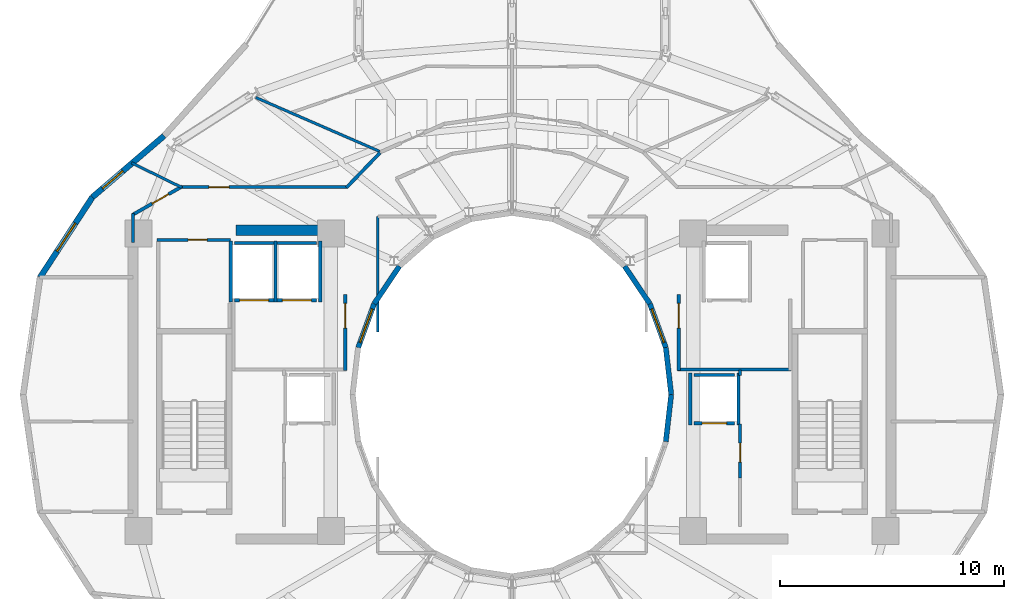
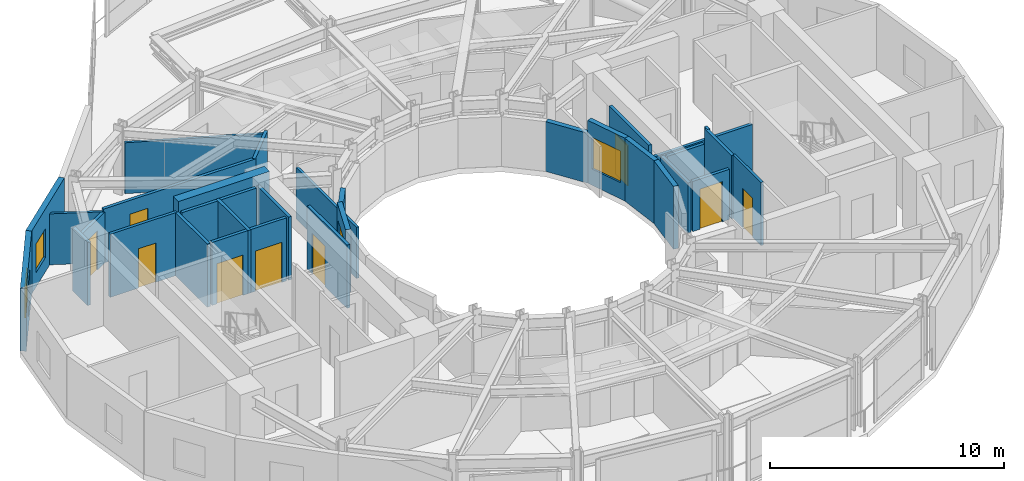
# One storey, part 14 of 19: 33 walls, 9 doors, 4 windows, 13 openings.
"""IFC4 building model written with IfcOpenShell, lengths in metres."""

from ifc_helpers import new_model, si_unit, direction, frame, frame_2d, origin, place, context, subcontext, project, spatial, rectangle, extrude, material, layer, layer_set, type_object, element, fill, save


model = new_model("IFC4")

# Units and contexts
model_context = context("Model", 3, precision=1e-05, world=origin(), true_north=direction((0.0, 1.0)))
body_context = subcontext(model_context, "Body", "Model", "MODEL_VIEW")
ifc_project = project(units=[si_unit("LENGTHUNIT", "METRE"), si_unit("AREAUNIT", "SQUARE_METRE"), si_unit("VOLUMEUNIT", "CUBIC_METRE"), si_unit("PLANEANGLEUNIT", "RADIAN"), si_unit("MASSUNIT", "GRAM", prefix="KILO")], contexts=[model_context])

# Site, building, storey
site_placement = place(None, origin())
site = spatial("IfcSite", under=ifc_project, at=site_placement, CompositionType="ELEMENT")
building_placement = place(site_placement, origin())
building = spatial("IfcBuilding", under=site, at=building_placement, Name="Solvane Sanctuary Tower", CompositionType="ELEMENT")
storey_placement = place(building_placement, frame((0.0, 0.0, 242.39990234375)))
storey = spatial("IfcBuildingStorey", under=building, at=storey_placement, Name="L74", CompositionType="ELEMENT", Elevation=242.39990234375)

# Wall
ifc_material_1 = material(Name="Concrete C50/60", Category="concrete")
ifc_layer_1 = layer(ifc_material_1, 0.449951171875, Name="Concrete C50/60")
ifc_layer_set_1 = layer_set([ifc_layer_1], Name="Concrete C50/60")
wall_type_1 = type_object("IfcWallType", Name="Wall W-CORE-450", PredefinedType="SHEAR", material=ifc_layer_set_1)
wall_1_placement = place(storey_placement, frame((19.64990234375, 30.35009765625, 0.0), z_axis=(0.0, 0.0, 1.0), x_axis=(1.0, 0.0, 0.0)))
element("IfcWall", 1, at=wall_1_placement, inside=storey, type_object=wall_type_1, Name="L74 Core Shear Wall WC-N", PredefinedType="SHEAR", context=body_context, shape_type="SweptSolid", body=[
    extrude(rectangle(XDim=4.5, YDim=0.449951171875, at=frame_2d((2.25, 0.0))), origin(), (0.0, 0.0, 1.0), 3.60009765625),
])

# Wall, opening, door
ifc_material_2 = material(Name="Acoustic Gypsum Partition Board")
ifc_layer_2 = layer(ifc_material_2, 0.14990234375, Name="Acoustic Gypsum Partition Board")
ifc_layer_set_2 = layer_set([ifc_layer_2], Name="Acoustic Gypsum Partition Board")
wall_type_2 = type_object("IfcWallType", Name="Wall W-CORR-150", PredefinedType="PARTITIONING", material=ifc_layer_set_2)
wall_2_placement = place(storey_placement, frame((24.550048828125, 24.080078125, 0.0), z_axis=(0.0, 0.0, 1.0), x_axis=(0.0, 1.0, 0.0)))
wall_2 = element("IfcWall", 2, at=wall_2_placement, inside=storey, type_object=wall_type_2, Name="L74 West Firefighting Lobby East Wall", PredefinedType="PARTITIONING", context=body_context, shape_type="SweptSolid", body=[
    extrude(rectangle(XDim=3.39990234375, YDim=0.14990234375, at=frame_2d((1.699951171875, 0.0))), origin(), (0.0, 0.0, 1.0), 3.295166015625),
])
opening_1_placement = place(wall_2_placement, frame((1.893798828125, 0.0, 0.0)))
opening_1 = element("IfcOpeningElement", 3, at=opening_1_placement, cuts=wall_2, Name="Opening D-L74-03", PredefinedType="OPENING", context=body_context, shape_type="SweptSolid", body=[
    extrude(rectangle(XDim=1.10009765625, YDim=2.10009765625, at=frame_2d((0.550048828125, 1.050048828125))), frame((0.0, 0.0849609375, 0.0), z_axis=(0.0, -1.0, 0.0), x_axis=(1.0, 0.0, 0.0)), (0.0, 0.0, 1.0), 0.169921875),
])
ifc_material_3 = material(Name="Architectural Stainless Steel 316", Category="steel")
door_type_1 = type_object("IfcDoorType", Name="Door D-FFL", OperationType="NOTDEFINED", PredefinedType="DOOR", material=ifc_material_3)
door_1_placement = place(opening_1_placement, origin())
door_1 = element("IfcDoor", 4, at=door_1_placement, inside=storey, type_object=door_type_1, Name="L74 West Firefighting Lobby Fire Door", OperationType="SINGLE_SWING_RIGHT", OverallHeight=2.10009765625, OverallWidth=1.10009765625, PredefinedType="DOOR", context=body_context, shape_type="SweptSolid", body=[
    extrude(rectangle(XDim=1.10009765625, YDim=2.10009765625, at=frame_2d((0.550048828125, 1.050048828125))), frame((0.0, 0.02490234375, 0.0), z_axis=(0.0, -1.0, 0.0), x_axis=(1.0, 0.0, 0.0)), (0.0, 0.0, 1.0), 0.050048828125),
])
fill(opening_1, door_1)

# Wall
wall_3_placement = place(storey_placement, frame((39.39990234375, 24.1201171875, 0.0), z_axis=(0.0, 0.0, 1.0), x_axis=(1.0, 0.0, 0.0)))
element("IfcWall", 5, at=wall_3_placement, inside=storey, type_object=wall_type_2, Name="L74 East Firefighting Lobby South Wall", PredefinedType="PARTITIONING", context=body_context, shape_type="SweptSolid", body=[
    extrude(rectangle(XDim=5.080078125, YDim=0.14990234375, at=frame_2d((2.5400390625, 0.0))), origin(), (0.0, 0.0, 1.0), 2.6201171875),
])

# Wall, opening, door
wall_4_placement = place(storey_placement, frame((39.449951171875, 24.080078125, 0.0), z_axis=(0.0, 0.0, 1.0), x_axis=(0.0, 1.0, 0.0)))
wall_4 = element("IfcWall", 6, at=wall_4_placement, inside=storey, type_object=wall_type_2, Name="L74 East Firefighting Lobby West Wall", PredefinedType="PARTITIONING", context=body_context, shape_type="SweptSolid", body=[
    extrude(rectangle(XDim=3.39990234375, YDim=0.14990234375, at=frame_2d((1.699951171875, 0.0))), origin(), (0.0, 0.0, 1.0), 3.295166015625),
])
opening_2_placement = place(wall_4_placement, frame((1.893798828125, 0.0, 0.0)))
opening_2 = element("IfcOpeningElement", 7, at=opening_2_placement, cuts=wall_4, Name="Opening D-L74-04", PredefinedType="OPENING", context=body_context, shape_type="SweptSolid", body=[
    extrude(rectangle(XDim=1.10009765625, YDim=2.10009765625, at=frame_2d((0.550048828125, 1.050048828125))), frame((0.0, 0.0849609375, 0.0), z_axis=(0.0, -1.0, 0.0), x_axis=(1.0, 0.0, 0.0)), (0.0, 0.0, 1.0), 0.169921875),
])
door_2_placement = place(opening_2_placement, origin())
door_2 = element("IfcDoor", 8, at=door_2_placement, inside=storey, type_object=door_type_1, Name="L74 East Firefighting Lobby Fire Door", OperationType="SINGLE_SWING_LEFT", OverallHeight=2.10009765625, OverallWidth=1.10009765625, PredefinedType="DOOR", context=body_context, shape_type="SweptSolid", body=[
    extrude(rectangle(XDim=1.10009765625, YDim=2.10009765625, at=frame_2d((0.550048828125, 1.050048828125))), frame((0.0, 0.02490234375, 0.0), z_axis=(0.0, -1.0, 0.0), x_axis=(1.0, 0.0, 0.0)), (0.0, 0.0, 1.0), 0.050048828125),
])
fill(opening_2, door_2)

# Walls
wall_5_placement = place(storey_placement, frame((15.050048828125, 29.800048828125, 0.0), z_axis=(0.0, 0.0, 1.0), x_axis=(0.0, 1.0, 0.0)))
element("IfcWall", 9, at=wall_5_placement, inside=storey, type_object=wall_type_2, Name="L74 NW Corner Closer 1", PredefinedType="PARTITIONING", context=body_context, shape_type="SweptSolid", body=[
    extrude(rectangle(XDim=1.2900390625, YDim=0.14990234375, at=frame_2d((0.64501953125, 0.0))), origin(), (0.0, 0.0, 1.0), 3.295166015625),
])
wall_6_placement = place(storey_placement, frame((26.0966796875, 33.811767578125, 0.0), z_axis=(0.0, 0.0, 1.0), x_axis=(-0.694032962553, -0.719943224768, 0.0)))
element("IfcWall", 10, at=wall_6_placement, inside=storey, type_object=wall_type_2, Name="L74 NW Corner Throat Wall", PredefinedType="PARTITIONING", context=body_context, shape_type="SweptSolid", body=[
    extrude(rectangle(XDim=2.15771484375, YDim=0.14990234375, at=frame_2d((1.078857421875, 0.0))), origin(), (0.0, 0.0, 1.0), 2.816162109375),
])

# Wall, opening, door
wall_7_placement = place(storey_placement, frame((17.14990234375, 32.280029296875, 0.0), z_axis=(0.0, 0.0, 1.0), x_axis=(1.0, 0.0, 0.0)))
wall_7 = element("IfcWall", 11, at=wall_7_placement, inside=storey, type_object=wall_type_2, Name="L74 NW Corner Corridor Wall", PredefinedType="PARTITIONING", context=body_context, shape_type="SweptSolid", body=[
    extrude(rectangle(XDim=7.52001953125, YDim=0.14990234375, at=frame_2d((3.760009765625, 0.0))), origin(), (0.0, 0.0, 1.0), 2.816162109375),
])
opening_3_placement = place(wall_7_placement, frame((1.300048828125, 0.0, 0.0)))
opening_3 = element("IfcOpeningElement", 12, at=opening_3_placement, cuts=wall_7, Name="Opening D-L74-19", PredefinedType="OPENING", context=body_context, shape_type="SweptSolid", body=[
    extrude(rectangle(XDim=0.89990234375, YDim=2.10009765625, at=frame_2d((0.449951171875, 1.050048828125))), frame((0.0, 0.0849609375, 0.0), z_axis=(0.0, -1.0, 0.0), x_axis=(1.0, 0.0, 0.0)), (0.0, 0.0, 1.0), 0.169921875),
])
ifc_material_4 = material(Name="Engineered Tropical Hardwood", Category="wood")
door_type_2 = type_object("IfcDoorType", Name="Door D-WET-900", OperationType="NOTDEFINED", PredefinedType="DOOR", material=ifc_material_4)
door_3_placement = place(opening_3_placement, origin())
door_3 = element("IfcDoor", 13, at=door_3_placement, inside=storey, type_object=door_type_2, Name="L74 NW Corner Salon Door", OperationType="SINGLE_SWING_RIGHT", OverallHeight=2.10009765625, OverallWidth=0.89990234375, PredefinedType="DOOR", context=body_context, shape_type="SweptSolid", body=[
    extrude(rectangle(XDim=0.89990234375, YDim=2.10009765625, at=frame_2d((0.449951171875, 1.050048828125))), frame((0.0, 0.02490234375, 0.0), z_axis=(0.0, -1.0, 0.0), x_axis=(1.0, 0.0, 0.0)), (0.0, 0.0, 1.0), 0.050048828125),
])
fill(opening_3, door_3)

wall_8_placement = place(storey_placement, frame((17.243408203125, 32.3046875, 0.0), z_axis=(0.0, 0.0, 1.0), x_axis=(-0.867991349648, -0.496579315857, 0.0)))
wall_8 = element("IfcWall", 14, at=wall_8_placement, inside=storey, type_object=wall_type_2, Name="L74 NW Corner Wing Wall", PredefinedType="PARTITIONING", context=body_context, shape_type="SweptSolid", body=[
    extrude(rectangle(XDim=2.56689453125, YDim=0.14990234375, at=frame_2d((1.283447265625, 0.0))), origin(), (0.0, 0.0, 1.0), 2.66015625),
])
opening_4_placement = place(wall_8_placement, frame((0.68798828125, 0.0, 0.0)))
opening_4 = element("IfcOpeningElement", 15, at=opening_4_placement, cuts=wall_8, Name="Opening D-L74-20", PredefinedType="OPENING", context=body_context, shape_type="SweptSolid", body=[
    extrude(rectangle(XDim=0.85009765625, YDim=2.050048828125, at=frame_2d((0.425048828125, 1.02490234375))), frame((0.0, 0.0849609375, 0.0), z_axis=(0.0, -1.0, 0.0), x_axis=(1.0, 0.0, 0.0)), (0.0, 0.0, 1.0), 0.169921875),
])
door_type_3 = type_object("IfcDoorType", Name="Door D-RISER", OperationType="NOTDEFINED", PredefinedType="DOOR", material=ifc_material_3)
door_4_placement = place(opening_4_placement, origin())
door_4 = element("IfcDoor", 16, at=door_4_placement, inside=storey, type_object=door_type_3, Name="L74 NW Corner Suite Door", OperationType="SINGLE_SWING_LEFT", OverallHeight=2.050048828125, OverallWidth=0.85009765625, PredefinedType="DOOR", context=body_context, shape_type="SweptSolid", body=[
    extrude(rectangle(XDim=0.85009765625, YDim=2.050048828125, at=frame_2d((0.425048828125, 1.02490234375))), frame((0.0, 0.02490234375, 0.0), z_axis=(0.0, -1.0, 0.0), x_axis=(1.0, 0.0, 0.0)), (0.0, 0.0, 1.0), 0.050048828125),
])
fill(opening_4, door_4)

# Wall, opening, window
ifc_material_5 = material(Name="Precast concrete C40/50", Category="concrete")
ifc_layer_3 = layer(ifc_material_5, 0.260009765625, Name="Precast concrete C40/50")
ifc_layer_set_3 = layer_set([ifc_layer_3], Name="Precast concrete C40/50")
wall_type_3 = type_object("IfcWallType", Name="Wall W-EXT-250", PredefinedType="STANDARD", material=ifc_layer_set_3)
wall_9_placement = place(storey_placement, frame((16.4423828125, 34.572265625, 0.0), z_axis=(0.0, 0.0, 1.0), x_axis=(-0.759587504333, -0.650405122413, 0.0)))
wall_9 = element("IfcWall", 17, at=wall_9_placement, inside=storey, type_object=wall_type_3, Name="L74 Ceramic-Printed Facade Wall 09", PredefinedType="STANDARD", context=body_context, shape_type="SweptSolid", body=[
    extrude(rectangle(XDim=4.21728515625, YDim=0.260009765625, at=frame_2d((2.108642578125, 0.0))), origin(), (0.0, 0.0, 1.0), 3.2900390625),
])
opening_5_placement = place(wall_9_placement, frame((2.423095703125, 0.0, 0.75)))
opening_5 = element("IfcOpeningElement", 18, at=opening_5_placement, cuts=wall_9, Name="Opening WN-OPER-1200", PredefinedType="OPENING", context=body_context, shape_type="SweptSolid", body=[
    extrude(rectangle(XDim=1.199951171875, YDim=1.5, at=frame_2d((0.60009765625, 0.75))), frame((0.0, 0.139892578125, 0.0), z_axis=(0.0, -1.0, 0.0), x_axis=(1.0, 0.0, 0.0)), (0.0, 0.0, 1.0), 0.280029296875),
])
ifc_material_6 = material(Name="Dark Ceramic-Fritted Low-E Glass", Category="glass")
window_type_1 = type_object("IfcWindowType", Name="Window WN-OPER-1200", PartitioningType="SINGLE_PANEL", PredefinedType="WINDOW", material=ifc_material_6)
window_1_placement = place(opening_5_placement, origin())
window_1 = element("IfcWindow", 19, at=window_1_placement, inside=storey, type_object=window_type_1, Name="L74 Operable Facade Window 09", OverallHeight=1.5, OverallWidth=1.199951171875, PartitioningType="SINGLE_PANEL", PredefinedType="WINDOW", context=body_context, shape_type="SweptSolid", body=[
    extrude(rectangle(XDim=1.199951171875, YDim=1.5, at=frame_2d((0.60009765625, 0.75))), frame((0.0, 0.030029296875, 0.0), z_axis=(0.0, -1.0, 0.0), x_axis=(1.0, 0.0, 0.0)), (0.0, 0.0, 1.0), 0.06005859375),
])
fill(opening_5, window_1)

wall_10_placement = place(storey_placement, frame((13.239013671875, 31.829345703125, 0.0), z_axis=(0.0, 0.0, 1.0), x_axis=(-0.546606419826, -0.837389647539, 0.0)))
wall_10 = element("IfcWall", 20, at=wall_10_placement, inside=storey, type_object=wall_type_3, Name="L74 Ceramic-Printed Facade Wall 10", PredefinedType="STANDARD", context=body_context, shape_type="SweptSolid", body=[
    extrude(rectangle(XDim=4.287841796875, YDim=0.260009765625, at=frame_2d((2.14404296875, 0.0))), origin(), (0.0, 0.0, 1.0), 3.2900390625),
])
opening_6_placement = place(wall_10_placement, frame((1.393798828125, 0.0, 0.75)))
opening_6 = element("IfcOpeningElement", 21, at=opening_6_placement, cuts=wall_10, Name="Opening WN-OPER-1500", PredefinedType="OPENING", context=body_context, shape_type="SweptSolid", body=[
    extrude(rectangle(XDim=1.5, YDim=1.60009765625, at=frame_2d((0.75, 0.800048828125))), frame((0.0, 0.139892578125, 0.0), z_axis=(0.0, -1.0, 0.0), x_axis=(1.0, 0.0, 0.0)), (0.0, 0.0, 1.0), 0.280029296875),
])
window_type_2 = type_object("IfcWindowType", Name="Window WN-OPER-1500", PartitioningType="SINGLE_PANEL", PredefinedType="WINDOW", material=ifc_material_6)
window_2_placement = place(opening_6_placement, origin())
window_2 = element("IfcWindow", 22, at=window_2_placement, inside=storey, type_object=window_type_2, Name="L74 Operable Facade Window 10", OverallHeight=1.60009765625, OverallWidth=1.5, PartitioningType="SINGLE_PANEL", PredefinedType="WINDOW", context=body_context, shape_type="SweptSolid", body=[
    extrude(rectangle(XDim=1.5, YDim=1.60009765625, at=frame_2d((0.75, 0.800048828125))), frame((0.0, 0.030029296875, 0.0), z_axis=(0.0, -1.0, 0.0), x_axis=(1.0, 0.0, 0.0)), (0.0, 0.0, 1.0), 0.06005859375),
])
fill(opening_6, window_2)

# Wall
ifc_layer_4 = layer(ifc_material_5, 0.22998046875, Name="Precast concrete C40/50")
ifc_layer_set_4 = layer_set([ifc_layer_4], Name="Precast concrete C40/50")
wall_type_4 = type_object("IfcWallType", Name="Wall W-EXT-SP220", PredefinedType="STANDARD", material=ifc_layer_set_4)
wall_11_placement = place(storey_placement, frame((39.1201171875, 23.0, 0.0), z_axis=(0.0, 0.0, 1.0), x_axis=(-0.114711713601, 0.993398823617, 0.0)))
element("IfcWall", 23, at=wall_11_placement, inside=storey, type_object=wall_type_4, Name="L74 Central Light-Well Wall 00", PredefinedType="STANDARD", context=body_context, shape_type="SweptSolid", body=[
    extrude(rectangle(XDim=2.115478515625, YDim=0.22998046875, at=frame_2d((1.0576171875, 0.0))), origin(), (0.0, 0.0, 1.0), 3.280029296875),
])

# Wall, opening, window
wall_12_placement = place(storey_placement, frame((38.87744140625, 25.1015625, 0.0), z_axis=(0.0, 0.0, 1.0), x_axis=(-0.341423187295, 0.93990968033, 0.0)))
wall_12 = element("IfcWall", 24, at=wall_12_placement, inside=storey, type_object=wall_type_4, Name="L74 Central Light-Well Wall 01", PredefinedType="STANDARD", context=body_context, shape_type="SweptSolid", body=[
    extrude(rectangle(XDim=2.083740234375, YDim=0.22998046875, at=frame_2d((1.0419921875, 0.0))), origin(), (0.0, 0.0, 1.0), 3.280029296875),
])
opening_7_placement = place(wall_12_placement, frame((0.24169921875, 0.0, 0.85009765625)))
opening_7 = element("IfcOpeningElement", 25, at=opening_7_placement, cuts=wall_12, Name="Opening WN-WELL-1600", PredefinedType="OPENING", context=body_context, shape_type="SweptSolid", body=[
    extrude(rectangle(XDim=1.60009765625, YDim=1.64990234375, at=frame_2d((0.800048828125, 0.824951171875))), frame((0.0, 0.125, 0.0), z_axis=(0.0, -1.0, 0.0), x_axis=(1.0, 0.0, 0.0)), (0.0, 0.0, 1.0), 0.25),
])
ifc_material_7 = material(Name="Clear Laminated Light-Well Glass", Category="glass")
window_type_3 = type_object("IfcWindowType", Name="Window WN-WELL-1600", PartitioningType="SINGLE_PANEL", PredefinedType="WINDOW", material=ifc_material_7)
window_3_placement = place(opening_7_placement, origin())
window_3 = element("IfcWindow", 26, at=window_3_placement, inside=storey, type_object=window_type_3, Name="L74 Light-Well Daylight Window 01", OverallHeight=1.64990234375, OverallWidth=1.60009765625, PartitioningType="SINGLE_PANEL", PredefinedType="WINDOW", context=body_context, shape_type="SweptSolid", body=[
    extrude(rectangle(XDim=1.60009765625, YDim=1.64990234375, at=frame_2d((0.800048828125, 0.824951171875))), frame((0.0, 0.030029296875, 0.0), z_axis=(0.0, -1.0, 0.0), x_axis=(1.0, 0.0, 0.0)), (0.0, 0.0, 1.0), 0.06005859375),
])
fill(opening_7, window_3)

# Walls
for number, where, z_axis, x_axis, name in (
    (27, (38.166015625, 27.06005859375, 0.0), (0.0, 0.0, 1.0), (-0.558197800898, 0.829707909492, 0.0), "L74 Central Light-Well Wall 02"),
    (28, (26.96533203125, 28.74169921875, 0.0), (0.0, 0.0, 1.0), (-0.558197800898, -0.829707909492, 0.0), "L74 Central Light-Well Wall 09"),
):
    element("IfcWall", number, at=place(storey_placement, frame(where, z_axis=z_axis, x_axis=x_axis)), inside=storey, type_object=wall_type_4, Name=name, PredefinedType="STANDARD", context=body_context, shape_type="SweptSolid", body=[
        extrude(rectangle(XDim=2.02685546875, YDim=0.22998046875, at=frame_2d((1.013427734375, 0.0))), origin(), (0.0, 0.0, 1.0), 2.60009765625),
    ])

# Wall, opening, window
wall_13_placement = place(storey_placement, frame((25.833984375, 27.06005859375, 0.0), z_axis=(0.0, 0.0, 1.0), x_axis=(-0.341423187295, -0.93990968033, 0.0)))
wall_13 = element("IfcWall", 29, at=wall_13_placement, inside=storey, type_object=wall_type_4, Name="L74 Central Light-Well Wall 10", PredefinedType="STANDARD", context=body_context, shape_type="SweptSolid", body=[
    extrude(rectangle(XDim=2.083740234375, YDim=0.22998046875, at=frame_2d((1.0419921875, 0.0))), origin(), (0.0, 0.0, 1.0), 3.280029296875),
])
opening_8_placement = place(wall_13_placement, frame((0.24169921875, 0.0, 0.85009765625)))
opening_8 = element("IfcOpeningElement", 30, at=opening_8_placement, cuts=wall_13, Name="Opening WN-WELL-1600", PredefinedType="OPENING", context=body_context, shape_type="SweptSolid", body=[
    extrude(rectangle(XDim=1.60009765625, YDim=1.64990234375, at=frame_2d((0.800048828125, 0.824951171875))), frame((0.0, 0.125, 0.0), z_axis=(0.0, -1.0, 0.0), x_axis=(1.0, 0.0, 0.0)), (0.0, 0.0, 1.0), 0.25),
])
window_4_placement = place(opening_8_placement, origin())
window_4 = element("IfcWindow", 31, at=window_4_placement, inside=storey, type_object=window_type_3, Name="L74 Light-Well Daylight Window 10", OverallHeight=1.64990234375, OverallWidth=1.60009765625, PartitioningType="SINGLE_PANEL", PredefinedType="WINDOW", context=body_context, shape_type="SweptSolid", body=[
    extrude(rectangle(XDim=1.60009765625, YDim=1.64990234375, at=frame_2d((0.800048828125, 0.824951171875))), frame((0.0, 0.030029296875, 0.0), z_axis=(0.0, -1.0, 0.0), x_axis=(1.0, 0.0, 0.0)), (0.0, 0.0, 1.0), 0.06005859375),
])
fill(opening_8, window_4)

# Walls
wall_14_placement = place(storey_placement, frame((38.87744140625, 20.8984375, 0.0), z_axis=(0.0, 0.0, 1.0), x_axis=(0.114711713601, 0.993398823617, 0.0)))
element("IfcWall", 32, at=wall_14_placement, inside=storey, type_object=wall_type_4, Name="L74 Central Light-Well Wall 23", PredefinedType="STANDARD", context=body_context, shape_type="SweptSolid", body=[
    extrude(rectangle(XDim=2.115478515625, YDim=0.22998046875, at=frame_2d((1.0576171875, 0.0))), origin(), (0.0, 0.0, 1.0), 3.280029296875),
])
ifc_layer_5 = layer(ifc_material_2, 0.1201171875, Name="Acoustic Gypsum Partition Board")
ifc_layer_set_5 = layer_set([ifc_layer_5], Name="Acoustic Gypsum Partition Board")
wall_type_5 = type_object("IfcWallType", Name="Wall W-MOV-100", PredefinedType="MOVABLE", material=ifc_layer_set_5)
wall_15_placement = place(storey_placement, frame((17.244873046875, 32.258056640625, 0.0), z_axis=(0.0, 0.0, 1.0), x_axis=(-0.898152129572, 0.439684832745, 0.0)))
element("IfcWall", 33, at=wall_15_placement, inside=storey, type_object=wall_type_5, Name="L74 NW Corner Suite Partition", PredefinedType="MOVABLE", context=body_context, shape_type="SweptSolid", body=[
    extrude(rectangle(XDim=2.5087890625, YDim=0.1201171875, at=frame_2d((1.25439453125, 0.0))), origin(), (0.0, 0.0, 1.0), 2.66015625),
])
wall_16_placement = place(storey_placement, frame((26.084716796875, 33.873291015625, 0.0), z_axis=(0.0, 0.0, 1.0), x_axis=(-0.916946661839, 0.399009798554, 0.0)))
element("IfcWall", 34, at=wall_16_placement, inside=storey, type_object=wall_type_5, Name="L74 Sky Hall Radial Partition 120", PredefinedType="MOVABLE", context=body_context, shape_type="SweptSolid", body=[
    extrude(rectangle(XDim=6.04150390625, YDim=0.1201171875, at=frame_2d((3.020751953125, 0.0))), origin(), (0.0, 0.0, 1.0), 2.66015625),
])

# Wall, opening, door
ifc_layer_6 = layer(ifc_material_2, 0.125, Name="Acoustic Gypsum Partition Board")
ifc_layer_set_6 = layer_set([ifc_layer_6], Name="Acoustic Gypsum Partition Board")
wall_type_6 = type_object("IfcWallType", Name="Wall W-PART-125", PredefinedType="PARTITIONING", material=ifc_layer_set_6)
wall_17_placement = place(storey_placement, frame((42.199951171875, 19.280029296875, 0.0), z_axis=(0.0, 0.0, 1.0), x_axis=(0.0, 1.0, 0.0)))
wall_17 = element("IfcWall", 35, at=wall_17_placement, inside=storey, type_object=wall_type_6, Name="L74 Reclaimed Room Partition PME", PredefinedType="PARTITIONING", context=body_context, shape_type="SweptSolid", body=[
    extrude(rectangle(XDim=2.39990234375, YDim=0.125, at=frame_2d((1.199951171875, 0.0))), origin(), (0.0, 0.0, 1.0), 3.295166015625),
])
opening_9_placement = place(wall_17_placement, frame((0.699951171875, 0.0, 0.0)))
opening_9 = element("IfcOpeningElement", 36, at=opening_9_placement, cuts=wall_17, Name="Opening D-L74-06", PredefinedType="OPENING", context=body_context, shape_type="SweptSolid", body=[
    extrude(rectangle(XDim=0.85009765625, YDim=2.050048828125, at=frame_2d((0.425048828125, 1.02490234375))), frame((0.0, 0.072509765625, 0.0), z_axis=(0.0, -1.0, 0.0), x_axis=(1.0, 0.0, 0.0)), (0.0, 0.0, 1.0), 0.14501953125),
])
door_5_placement = place(opening_9_placement, origin())
door_5 = element("IfcDoor", 37, at=door_5_placement, inside=storey, type_object=door_type_3, Name="L74 Reclaimed Room Door PME-1", OperationType="SINGLE_SWING_LEFT", OverallHeight=2.050048828125, OverallWidth=0.85009765625, PredefinedType="DOOR", context=body_context, shape_type="SweptSolid", body=[
    extrude(rectangle(XDim=0.85009765625, YDim=2.050048828125, at=frame_2d((0.425048828125, 1.02490234375))), frame((0.0, 0.02490234375, 0.0), z_axis=(0.0, -1.0, 0.0), x_axis=(1.0, 0.0, 0.0)), (0.0, 0.0, 1.0), 0.050048828125),
])
fill(opening_9, door_5)

# Walls
wall_18_placement = place(storey_placement, frame((42.199951171875, 23.85009765625, 0.0), z_axis=(0.0, 0.0, 1.0), x_axis=(0.0, 1.0, 0.0)))
element("IfcWall", 38, at=wall_18_placement, inside=storey, type_object=wall_type_6, Name="L74 Reclaimed Room Dividing Wall PME", PredefinedType="PARTITIONING", context=body_context, shape_type="SweptSolid", body=[
    extrude(rectangle(XDim=0.25, YDim=0.125, at=frame_2d((0.125, 0.0))), origin(), (0.0, 0.0, 1.0), 3.295166015625),
])
wall_19_placement = place(storey_placement, frame((26.0, 25.800048828125, 0.0), z_axis=(0.0, 0.0, 1.0), x_axis=(0.0, 1.0, 0.0)))
element("IfcWall", 39, at=wall_19_placement, inside=storey, type_object=wall_type_6, Name="L74 Bridge Alcove Wall 1", PredefinedType="PARTITIONING", context=body_context, shape_type="SweptSolid", body=[
    extrude(rectangle(XDim=5.159912109375, YDim=0.125, at=frame_2d((2.580078125, 0.0))), origin(), (0.0, 0.0, 1.0), 2.672119140625),
])

# Wall, opening, door
ifc_layer_7 = layer(ifc_material_1, 0.14990234375, Name="Concrete C50/60")
ifc_layer_set_7 = layer_set([ifc_layer_7], Name="Concrete C50/60")
wall_type_7 = type_object("IfcWallType", Name="Wall W-SHAFT-150", PredefinedType="SOLIDWALL", material=ifc_layer_set_7)
wall_20_placement = place(storey_placement, frame((40.139892578125, 21.719970703125, 0.0), z_axis=(0.0, 0.0, 1.0), x_axis=(1.0, 0.0, 0.0)))
wall_20 = element("IfcWall", 40, at=wall_20_placement, inside=storey, type_object=wall_type_7, Name="L74 PH-2 Lift Shaft Wall F", PredefinedType="SOLIDWALL", context=body_context, shape_type="SweptSolid", body=[
    extrude(rectangle(XDim=1.820068359375, YDim=0.14990234375, at=frame_2d((0.91015625, 0.0))), origin(), (0.0, 0.0, 1.0), 2.6201171875),
])
opening_10_placement = place(wall_20_placement, frame((0.360107421875, 0.0, 0.0)))
opening_10 = element("IfcOpeningElement", 41, at=opening_10_placement, cuts=wall_20, Name="Opening LD-L74-02", PredefinedType="OPENING", context=body_context, shape_type="SweptSolid", body=[
    extrude(rectangle(XDim=1.10009765625, YDim=2.10009765625, at=frame_2d((0.550048828125, 1.050048828125))), frame((0.0, 0.0849609375, 0.0), z_axis=(0.0, -1.0, 0.0), x_axis=(1.0, 0.0, 0.0)), (0.0, 0.0, 1.0), 0.169921875),
])
door_type_4 = type_object("IfcDoorType", Name="Door LD-PASS-1100", OperationType="NOTDEFINED", PredefinedType="DOOR", material=ifc_material_3)
door_6_placement = place(opening_10_placement, origin())
door_6 = element("IfcDoor", 42, at=door_6_placement, inside=storey, type_object=door_type_4, Name="L74 PH-2 Lift Landing Door", OperationType="DOUBLE_DOOR_SLIDING", OverallHeight=2.10009765625, OverallWidth=1.10009765625, PredefinedType="DOOR", context=body_context, shape_type="SweptSolid", body=[
    extrude(rectangle(XDim=1.10009765625, YDim=2.10009765625, at=frame_2d((0.550048828125, 1.050048828125))), frame((0.0, 0.02490234375, 0.0), z_axis=(0.0, -1.0, 0.0), x_axis=(1.0, 0.0, 0.0)), (0.0, 0.0, 1.0), 0.050048828125),
])
fill(opening_10, door_6)

# Walls
wall_21_placement = place(storey_placement, frame((40.139892578125, 23.8798828125, 0.0), z_axis=(0.0, 0.0, 1.0), x_axis=(1.0, 0.0, 0.0)))
element("IfcWall", 43, at=wall_21_placement, inside=storey, type_object=wall_type_7, Name="L74 PH-2 Lift Shaft Wall B", PredefinedType="SOLIDWALL", context=body_context, shape_type="SweptSolid", body=[
    extrude(rectangle(XDim=1.820068359375, YDim=0.14990234375, at=frame_2d((0.91015625, 0.0))), origin(), (0.0, 0.0, 1.0), 2.6201171875),
])
wall_22_placement = place(storey_placement, frame((39.969970703125, 21.639892578125, 0.0), z_axis=(0.0, 0.0, 1.0), x_axis=(0.0, 1.0, 0.0)))
element("IfcWall", 44, at=wall_22_placement, inside=storey, type_object=wall_type_7, Name="L74 PH-2 Lift Shaft Wall S1", PredefinedType="SOLIDWALL", context=body_context, shape_type="SweptSolid", body=[
    extrude(rectangle(XDim=2.320068359375, YDim=0.14990234375, at=frame_2d((1.16015625, 0.0))), origin(), (0.0, 0.0, 1.0), 2.6201171875),
])
wall_23_placement = place(storey_placement, frame((42.1298828125, 21.639892578125, 0.0), z_axis=(0.0, 0.0, 1.0), x_axis=(0.0, 1.0, 0.0)))
element("IfcWall", 45, at=wall_23_placement, inside=storey, type_object=wall_type_7, Name="L74 PH-2 Lift Shaft Wall S2", PredefinedType="SOLIDWALL", context=body_context, shape_type="SweptSolid", body=[
    extrude(rectangle(XDim=2.320068359375, YDim=0.14990234375, at=frame_2d((1.16015625, 0.0))), origin(), (0.0, 0.0, 1.0), 3.295166015625),
])

# Wall, opening, door
wall_24_placement = place(storey_placement, frame((19.590087890625, 27.219970703125, 0.0), z_axis=(0.0, 0.0, 1.0), x_axis=(1.0, 0.0, 0.0)))
wall_24 = element("IfcWall", 46, at=wall_24_placement, inside=storey, type_object=wall_type_7, Name="L74 FFL-1 Lift Shaft Wall F", PredefinedType="SOLIDWALL", context=body_context, shape_type="SweptSolid", body=[
    extrude(rectangle(XDim=1.760009765625, YDim=0.14990234375, at=frame_2d((0.8798828125, 0.0))), origin(), (0.0, 0.0, 1.0), 3.295166015625),
])
opening_11_placement = place(wall_24_placement, frame((0.22998046875, 0.0, 0.0)))
opening_11 = element("IfcOpeningElement", 47, at=opening_11_placement, cuts=wall_24, Name="Opening LD-L74-03", PredefinedType="OPENING", context=body_context, shape_type="SweptSolid", body=[
    extrude(rectangle(XDim=1.300048828125, YDim=2.10009765625, at=frame_2d((0.64990234375, 1.050048828125))), frame((0.0, 0.0849609375, 0.0), z_axis=(0.0, -1.0, 0.0), x_axis=(1.0, 0.0, 0.0)), (0.0, 0.0, 1.0), 0.169921875),
])
door_type_5 = type_object("IfcDoorType", Name="Door LD-FFL-1300", OperationType="NOTDEFINED", PredefinedType="DOOR", material=ifc_material_3)
door_7_placement = place(opening_11_placement, origin())
door_7 = element("IfcDoor", 48, at=door_7_placement, inside=storey, type_object=door_type_5, Name="L74 FFL-1 Lift Landing Door", OperationType="DOUBLE_DOOR_SLIDING", OverallHeight=2.10009765625, OverallWidth=1.300048828125, PredefinedType="DOOR", context=body_context, shape_type="SweptSolid", body=[
    extrude(rectangle(XDim=1.300048828125, YDim=2.10009765625, at=frame_2d((0.64990234375, 1.050048828125))), frame((0.0, 0.02490234375, 0.0), z_axis=(0.0, -1.0, 0.0), x_axis=(1.0, 0.0, 0.0)), (0.0, 0.0, 1.0), 0.050048828125),
])
fill(opening_11, door_7)

# Walls
wall_25_placement = place(storey_placement, frame((19.590087890625, 29.780029296875, 0.0), z_axis=(0.0, 0.0, 1.0), x_axis=(1.0, 0.0, 0.0)))
element("IfcWall", 49, at=wall_25_placement, inside=storey, type_object=wall_type_7, Name="L74 FFL-1 Lift Shaft Wall B", PredefinedType="SOLIDWALL", context=body_context, shape_type="SweptSolid", body=[
    extrude(rectangle(XDim=1.760009765625, YDim=0.14990234375, at=frame_2d((0.8798828125, 0.0))), origin(), (0.0, 0.0, 1.0), 3.295166015625),
])
for number, where, z_axis, x_axis, name in (
    (50, (19.419921875, 27.139892578125, 0.0), (0.0, 0.0, 1.0), (0.0, 1.0, 0.0), "L74 FFL-1 Lift Shaft Wall S1"),
    (51, (21.425048828125, 27.139892578125, 0.0), (0.0, 0.0, 1.0), (0.0, 1.0, 0.0), "L74 FFL-1 Lift Shaft Wall S2"),
):
    element("IfcWall", number, at=place(storey_placement, frame(where, z_axis=z_axis, x_axis=x_axis)), inside=storey, type_object=wall_type_7, Name=name, PredefinedType="SOLIDWALL", context=body_context, shape_type="SweptSolid", body=[
        extrude(rectangle(XDim=2.72021484375, YDim=0.14990234375, at=frame_2d((1.360107421875, 0.0))), origin(), (0.0, 0.0, 1.0), 3.295166015625),
    ])

# Wall, opening, door
wall_26_placement = place(storey_placement, frame((21.5, 27.219970703125, 0.0), z_axis=(0.0, 0.0, 1.0), x_axis=(1.0, 0.0, 0.0)))
wall_26 = element("IfcWall", 52, at=wall_26_placement, inside=storey, type_object=wall_type_7, Name="L74 SVL-1 Lift Shaft Wall F", PredefinedType="SOLIDWALL", context=body_context, shape_type="SweptSolid", body=[
    extrude(rectangle(XDim=1.760009765625, YDim=0.14990234375, at=frame_2d((0.8798828125, 0.0))), origin(), (0.0, 0.0, 1.0), 3.295166015625),
])
opening_12_placement = place(wall_26_placement, frame((0.22998046875, 0.0, 0.0)))
opening_12 = element("IfcOpeningElement", 53, at=opening_12_placement, cuts=wall_26, Name="Opening LD-L74-04", PredefinedType="OPENING", context=body_context, shape_type="SweptSolid", body=[
    extrude(rectangle(XDim=1.300048828125, YDim=2.10009765625, at=frame_2d((0.64990234375, 1.050048828125))), frame((0.0, 0.0849609375, 0.0), z_axis=(0.0, -1.0, 0.0), x_axis=(1.0, 0.0, 0.0)), (0.0, 0.0, 1.0), 0.169921875),
])
door_8_placement = place(opening_12_placement, origin())
door_8 = element("IfcDoor", 54, at=door_8_placement, inside=storey, type_object=door_type_5, Name="L74 SVL-1 Lift Landing Door", OperationType="DOUBLE_DOOR_SLIDING", OverallHeight=2.10009765625, OverallWidth=1.300048828125, PredefinedType="DOOR", context=body_context, shape_type="SweptSolid", body=[
    extrude(rectangle(XDim=1.300048828125, YDim=2.10009765625, at=frame_2d((0.64990234375, 1.050048828125))), frame((0.0, 0.02490234375, 0.0), z_axis=(0.0, -1.0, 0.0), x_axis=(1.0, 0.0, 0.0)), (0.0, 0.0, 1.0), 0.050048828125),
])
fill(opening_12, door_8)

# Walls
wall_27_placement = place(storey_placement, frame((21.5, 29.780029296875, 0.0), z_axis=(0.0, 0.0, 1.0), x_axis=(1.0, 0.0, 0.0)))
element("IfcWall", 55, at=wall_27_placement, inside=storey, type_object=wall_type_7, Name="L74 SVL-1 Lift Shaft Wall B", PredefinedType="SOLIDWALL", context=body_context, shape_type="SweptSolid", body=[
    extrude(rectangle(XDim=1.760009765625, YDim=0.14990234375, at=frame_2d((0.8798828125, 0.0))), origin(), (0.0, 0.0, 1.0), 3.295166015625),
])
wall_28_placement = place(storey_placement, frame((23.429931640625, 27.139892578125, 0.0), z_axis=(0.0, 0.0, 1.0), x_axis=(0.0, 1.0, 0.0)))
element("IfcWall", 56, at=wall_28_placement, inside=storey, type_object=wall_type_7, Name="L74 SVL-1 Lift Shaft Wall S2", PredefinedType="SOLIDWALL", context=body_context, shape_type="SweptSolid", body=[
    extrude(rectangle(XDim=2.72021484375, YDim=0.14990234375, at=frame_2d((1.360107421875, 0.0))), origin(), (0.0, 0.0, 1.0), 3.295166015625),
])

# Wall, opening, door
ifc_layer_8 = layer(ifc_material_2, 0.139892578125, Name="Acoustic Gypsum Partition Board")
ifc_layer_set_8 = layer_set([ifc_layer_8], Name="Acoustic Gypsum Partition Board")
wall_type_8 = type_object("IfcWallType", Name="Wall W-WET-140", PredefinedType="PLUMBINGWALL", material=ifc_layer_set_8)
wall_29_placement = place(storey_placement, frame((16.1201171875, 29.919921875, 0.0), z_axis=(0.0, 0.0, 1.0), x_axis=(1.0, 0.0, 0.0)))
wall_29 = element("IfcWall", 57, at=wall_29_placement, inside=storey, type_object=wall_type_8, Name="L74 Core Service Front Wall KW0", PredefinedType="PLUMBINGWALL", context=body_context, shape_type="SweptSolid", body=[
    extrude(rectangle(XDim=3.2998046875, YDim=0.139892578125, at=frame_2d((1.64990234375, 0.0))), origin(), (0.0, 0.0, 1.0), 3.295166015625),
])
opening_13_placement = place(wall_29_placement, frame((1.3994140625, 0.0, 0.0)))
opening_13 = element("IfcOpeningElement", 58, at=opening_13_placement, cuts=wall_29, Name="Opening D-L74-07", PredefinedType="OPENING", context=body_context, shape_type="SweptSolid", body=[
    extrude(rectangle(XDim=0.85009765625, YDim=2.050048828125, at=frame_2d((0.425048828125, 1.02490234375))), frame((0.0, 0.079833984375, 0.0), z_axis=(0.0, -1.0, 0.0), x_axis=(1.0, 0.0, 0.0)), (0.0, 0.0, 1.0), 0.159912109375),
])
door_9_placement = place(opening_13_placement, origin())
door_9 = element("IfcDoor", 59, at=door_9_placement, inside=storey, type_object=door_type_3, Name="L74 Core Service Room Door KW0-1", OperationType="SINGLE_SWING_RIGHT", OverallHeight=2.050048828125, OverallWidth=0.85009765625, PredefinedType="DOOR", context=body_context, shape_type="SweptSolid", body=[
    extrude(rectangle(XDim=0.85009765625, YDim=2.050048828125, at=frame_2d((0.425048828125, 1.02490234375))), frame((0.0, 0.02490234375, 0.0), z_axis=(0.0, -1.0, 0.0), x_axis=(1.0, 0.0, 0.0)), (0.0, 0.0, 1.0), 0.050048828125),
])
fill(opening_13, door_9)

save(model, "model.ifc")
